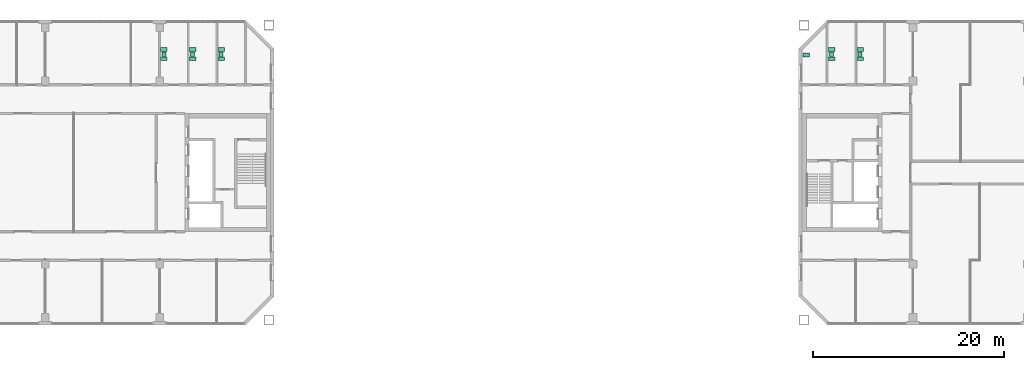
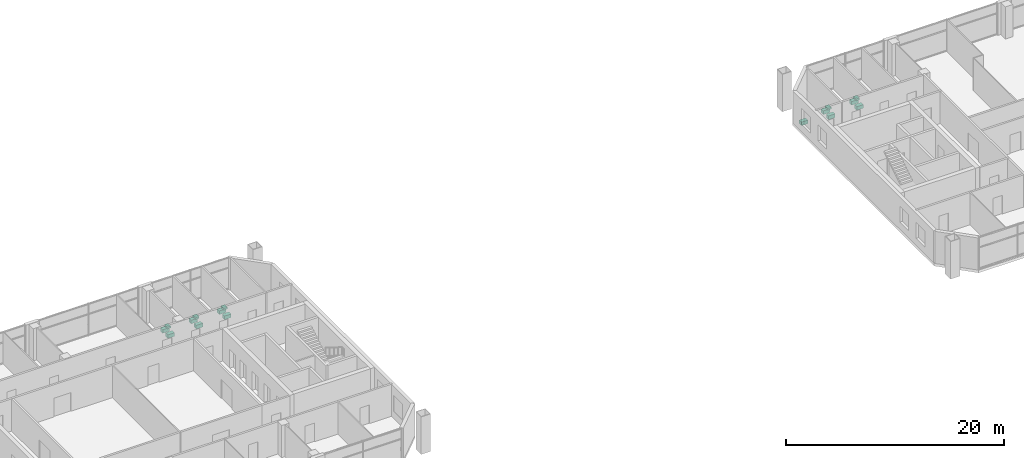
# One storey, part 19 of 19: 16 sanitary terminals.
"""IFC4 building model written with IfcOpenShell, lengths in metres."""

from ifc_helpers import new_model, si_unit, direction, frame, origin, origin_2d, place, context, subcontext, project, spatial, rectangle, extrude, element, save


model = new_model("IFC4")

# Units and contexts
model_context = context("Model", 3, precision=1e-05, world=origin(), true_north=direction((0.0, 1.0)))
body_context = subcontext(model_context, "Body", "Model", "MODEL_VIEW")
ifc_project = project(units=[si_unit("LENGTHUNIT", "METRE"), si_unit("AREAUNIT", "SQUARE_METRE"), si_unit("VOLUMEUNIT", "CUBIC_METRE"), si_unit("PLANEANGLEUNIT", "RADIAN"), si_unit("MASSUNIT", "GRAM", prefix="KILO")], contexts=[model_context])

# Site, building, storey
site_placement = place(None, origin())
site = spatial("IfcSite", under=ifc_project, at=site_placement, CompositionType="ELEMENT")
building_placement = place(site_placement, origin())
building = spatial("IfcBuilding", under=site, at=building_placement, Name="Tuart Gate Housing", CompositionType="ELEMENT")
storey_placement = place(building_placement, frame((0.0, 0.0, 171.60009765625)))
storey = spatial("IfcBuildingStorey", under=building, at=storey_placement, Name="L48", CompositionType="ELEMENT", Elevation=171.60009765625)

# Sanitary terminals
for number, where, z_axis, x_axis, name in (
    (1, (64.449951171875, 81.945068359375, 0.0), (0.0, 0.0, 1.0), (1.0, 0.0, 0.0), "Water closet"),
    (2, (64.449951171875, 82.89501953125, 0.0), (0.0, 0.0, 1.0), (1.0, 0.0, 0.0), "Water closet"),
):
    element("IfcSanitaryTerminal", number, at=place(storey_placement, frame(where, z_axis=z_axis, x_axis=x_axis)), inside=storey, Name=name, PredefinedType="TOILETPAN", context=body_context, shape_type="SweptSolid", body=[
        extrude(rectangle(XDim=0.699951171875, YDim=0.39990234375, at=origin_2d()), origin(), (0.0, 0.0, 1.0), 0.39990234375),
    ])
sanitary_terminal_1_placement = place(storey_placement, frame((64.449951171875, 82.419921875, 0.75), z_axis=(0.0, 0.0, 1.0), x_axis=(1.0, 0.0, 0.0)))
element("IfcSanitaryTerminal", 3, at=sanitary_terminal_1_placement, inside=storey, Name="Wash basin", PredefinedType="WASHHANDBASIN", context=body_context, shape_type="SweptSolid", body=[
    extrude(rectangle(XDim=0.39990234375, YDim=0.5, at=origin_2d()), origin(), (0.0, 0.0, 1.0), 0.199951171875),
])
for number, where, z_axis, x_axis, name in (
    (4, (67.449951171875, 81.945068359375, 0.0), (0.0, 0.0, 1.0), (1.0, 0.0, 0.0), "Water closet"),
    (5, (67.449951171875, 82.89501953125, 0.0), (0.0, 0.0, 1.0), (1.0, 0.0, 0.0), "Water closet"),
):
    element("IfcSanitaryTerminal", number, at=place(storey_placement, frame(where, z_axis=z_axis, x_axis=x_axis)), inside=storey, Name=name, PredefinedType="TOILETPAN", context=body_context, shape_type="SweptSolid", body=[
        extrude(rectangle(XDim=0.699951171875, YDim=0.39990234375, at=origin_2d()), origin(), (0.0, 0.0, 1.0), 0.39990234375),
    ])
sanitary_terminal_2_placement = place(storey_placement, frame((67.449951171875, 82.419921875, 0.75), z_axis=(0.0, 0.0, 1.0), x_axis=(1.0, 0.0, 0.0)))
element("IfcSanitaryTerminal", 6, at=sanitary_terminal_2_placement, inside=storey, Name="Wash basin", PredefinedType="WASHHANDBASIN", context=body_context, shape_type="SweptSolid", body=[
    extrude(rectangle(XDim=0.39990234375, YDim=0.5, at=origin_2d()), origin(), (0.0, 0.0, 1.0), 0.199951171875),
])
for number, where, z_axis, x_axis, name in (
    (7, (70.449951171875, 81.945068359375, 0.0), (0.0, 0.0, 1.0), (1.0, 0.0, 0.0), "Water closet"),
    (8, (70.449951171875, 82.89501953125, 0.0), (0.0, 0.0, 1.0), (1.0, 0.0, 0.0), "Water closet"),
):
    element("IfcSanitaryTerminal", number, at=place(storey_placement, frame(where, z_axis=z_axis, x_axis=x_axis)), inside=storey, Name=name, PredefinedType="TOILETPAN", context=body_context, shape_type="SweptSolid", body=[
        extrude(rectangle(XDim=0.699951171875, YDim=0.39990234375, at=origin_2d()), origin(), (0.0, 0.0, 1.0), 0.39990234375),
    ])
sanitary_terminal_3_placement = place(storey_placement, frame((70.449951171875, 82.419921875, 0.75), z_axis=(0.0, 0.0, 1.0), x_axis=(1.0, 0.0, 0.0)))
element("IfcSanitaryTerminal", 9, at=sanitary_terminal_3_placement, inside=storey, Name="Wash basin", PredefinedType="WASHHANDBASIN", context=body_context, shape_type="SweptSolid", body=[
    extrude(rectangle(XDim=0.39990234375, YDim=0.5, at=origin_2d()), origin(), (0.0, 0.0, 1.0), 0.199951171875),
])
for number, where, z_axis, x_axis, name in (
    (10, (131.81005859375, 82.345947265625, 0.0), (0.0, 0.0, 1.0), (1.0, 0.0, 0.0), "Water closet"),
    (11, (134.449951171875, 81.945068359375, 0.0), (0.0, 0.0, 1.0), (1.0, 0.0, 0.0), "Water closet"),
    (12, (134.449951171875, 82.89501953125, 0.0), (0.0, 0.0, 1.0), (1.0, 0.0, 0.0), "Water closet"),
):
    element("IfcSanitaryTerminal", number, at=place(storey_placement, frame(where, z_axis=z_axis, x_axis=x_axis)), inside=storey, Name=name, PredefinedType="TOILETPAN", context=body_context, shape_type="SweptSolid", body=[
        extrude(rectangle(XDim=0.699951171875, YDim=0.39990234375, at=origin_2d()), origin(), (0.0, 0.0, 1.0), 0.39990234375),
    ])
sanitary_terminal_4_placement = place(storey_placement, frame((134.449951171875, 82.419921875, 0.75), z_axis=(0.0, 0.0, 1.0), x_axis=(1.0, 0.0, 0.0)))
element("IfcSanitaryTerminal", 13, at=sanitary_terminal_4_placement, inside=storey, Name="Wash basin", PredefinedType="WASHHANDBASIN", context=body_context, shape_type="SweptSolid", body=[
    extrude(rectangle(XDim=0.39990234375, YDim=0.5, at=origin_2d()), origin(), (0.0, 0.0, 1.0), 0.199951171875),
])
for number, where, z_axis, x_axis, name in (
    (14, (137.449951171875, 81.945068359375, 0.0), (0.0, 0.0, 1.0), (1.0, 0.0, 0.0), "Water closet"),
    (15, (137.449951171875, 82.89501953125, 0.0), (0.0, 0.0, 1.0), (1.0, 0.0, 0.0), "Water closet"),
):
    element("IfcSanitaryTerminal", number, at=place(storey_placement, frame(where, z_axis=z_axis, x_axis=x_axis)), inside=storey, Name=name, PredefinedType="TOILETPAN", context=body_context, shape_type="SweptSolid", body=[
        extrude(rectangle(XDim=0.699951171875, YDim=0.39990234375, at=origin_2d()), origin(), (0.0, 0.0, 1.0), 0.39990234375),
    ])
sanitary_terminal_5_placement = place(storey_placement, frame((137.449951171875, 82.419921875, 0.75), z_axis=(0.0, 0.0, 1.0), x_axis=(1.0, 0.0, 0.0)))
element("IfcSanitaryTerminal", 16, at=sanitary_terminal_5_placement, inside=storey, Name="Wash basin", PredefinedType="WASHHANDBASIN", context=body_context, shape_type="SweptSolid", body=[
    extrude(rectangle(XDim=0.39990234375, YDim=0.5, at=origin_2d()), origin(), (0.0, 0.0, 1.0), 0.199951171875),
])

save(model, "model.ifc")
